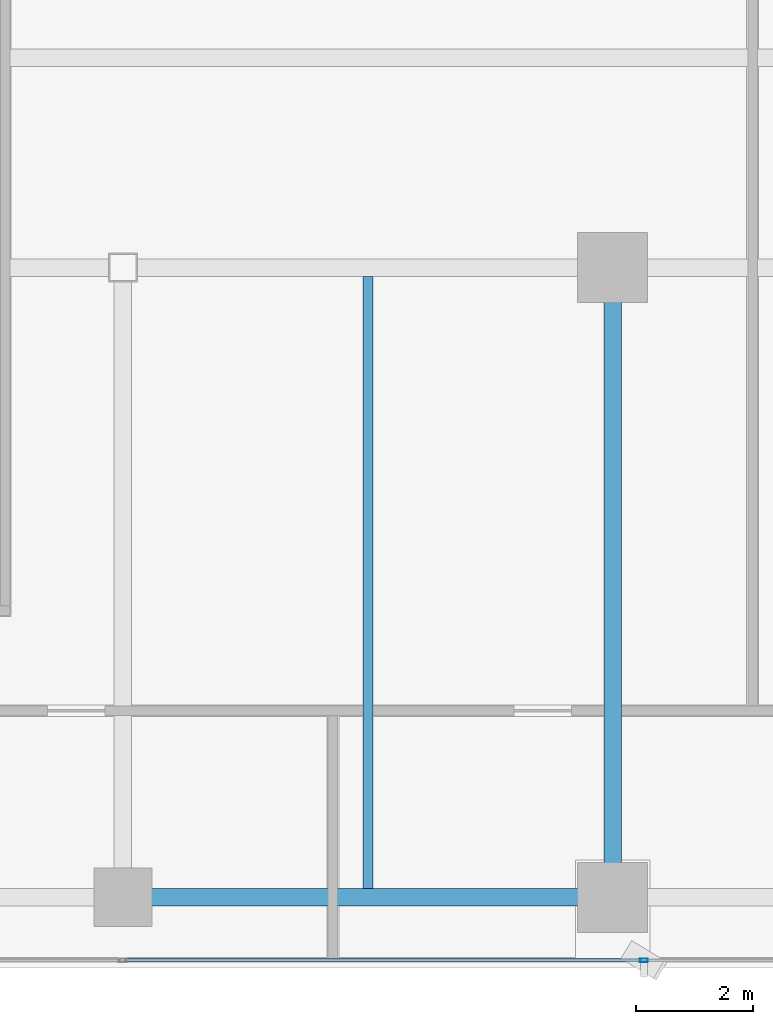
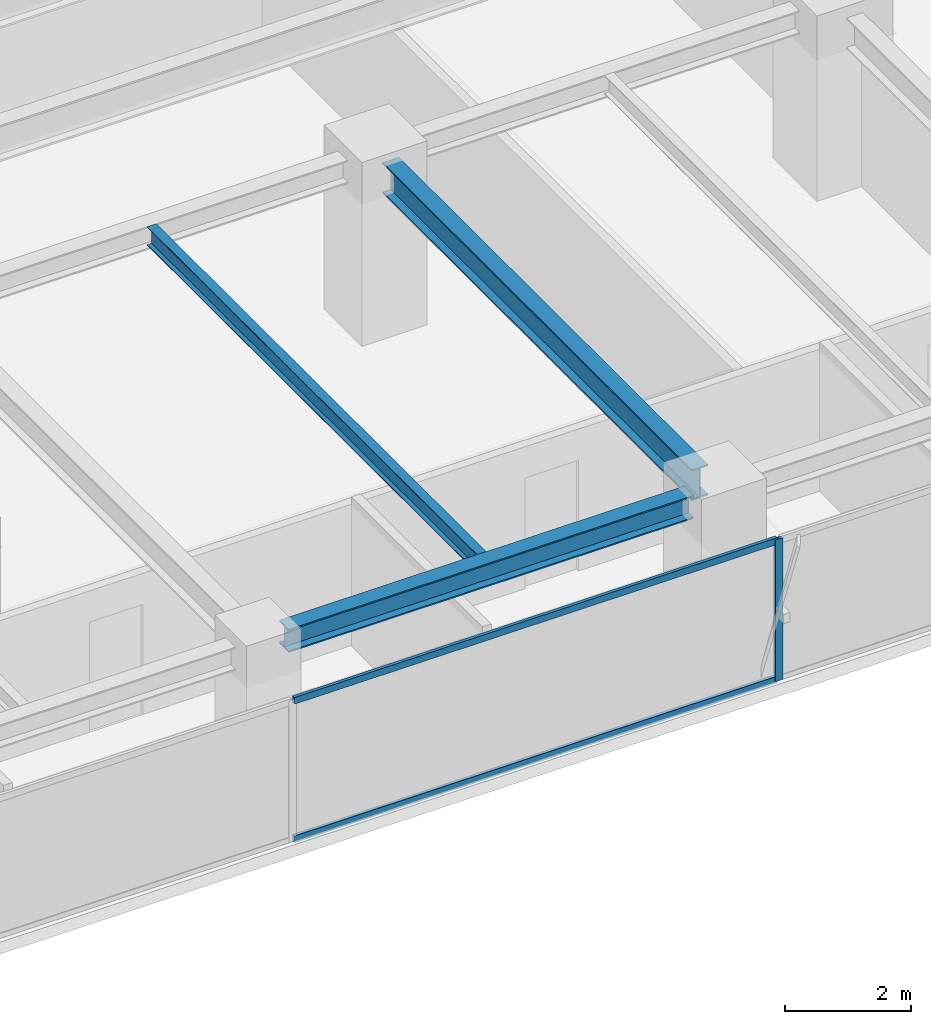
# One storey, part 7 of 27: 3 beams, 3 members, 1 element without a shape of its own.
"""IFC4 building model written with IfcOpenShell, lengths in metres."""

from ifc_helpers import new_model, si_unit, direction, frame, origin, origin_2d, place, context, subcontext, project, spatial, hollow_rectangle, i_section, extrude, source, transform, mapped, material, layer, layer_set, material_profile, profile_set, type_object, element, aggregate, save


model = new_model("IFC4")

# Units and contexts
model_context = context("Model", 3, precision=1e-05, world=origin(), true_north=direction((0.0, 1.0)))
body_context = subcontext(model_context, "Body", "Model", "MODEL_VIEW")
ifc_project = project(units=[si_unit("LENGTHUNIT", "METRE"), si_unit("AREAUNIT", "SQUARE_METRE"), si_unit("VOLUMEUNIT", "CUBIC_METRE"), si_unit("PLANEANGLEUNIT", "RADIAN"), si_unit("MASSUNIT", "GRAM", prefix="KILO")], contexts=[model_context])

# Site, building, storey
site_placement = place(None, origin())
site = spatial("IfcSite", under=ifc_project, at=site_placement, CompositionType="ELEMENT")
building_placement = place(site_placement, origin())
building = spatial("IfcBuilding", under=site, at=building_placement, Name="Sumidabori Civic Tower", CompositionType="ELEMENT")
storey_placement = place(building_placement, frame((0.0, 0.0, 257.60009765625)))
storey = spatial("IfcBuildingStorey", under=building, at=storey_placement, Name="L67", CompositionType="ELEMENT", Elevation=257.60009765625)

# Beams
ifc_material_1 = material(Name="Steel SN490", Category="steel")
ifc_material_profile_1 = material_profile(ifc_material_1, i_section(OverallWidth=0.300048828125, OverallDepth=0.60009765625, WebThickness=0.015380859375, FlangeThickness=0.030029296875, at=origin_2d()), Name="HE 600 B")
ifc_profile_set_1 = profile_set([ifc_material_profile_1], Name="Steel SN490")
beam_type_1 = type_object("IfcBeamType", Name="BM-GIRD-600", PredefinedType="BEAM", material=ifc_profile_set_1)
shared_shape_1 = source(origin(), body_context, "Body", "SweptSolid", [
    extrude(i_section(OverallWidth=0.300048828125, OverallDepth=0.60009765625, WebThickness=0.015380859375, FlangeThickness=0.030029296875, at=origin_2d()), origin(), (0.0, 0.0, 1.0), 9.840087890625),
])
beam_1_placement = place(storey_placement, frame((8.39990234375, -10.320068359375, 3.06982421875), z_axis=(0.0, 1.0, 0.0), x_axis=(-1.0, 0.0, 0.0)))
element("IfcBeam", 1, at=beam_1_placement, inside=storey, type_object=beam_type_1, Name="Primary Girder L67 GY-14", PredefinedType="BEAM", context=body_context, shape_type="MappedRepresentation", body=[
    mapped(shared_shape_1, transform((0.0, 0.0, 0.0), x_axis=(1.0, 0.0, 0.0), y_axis=(0.0, 1.0, 0.0), z_axis=(0.0, 0.0, 1.0), scale=1.0)),
])
ifc_material_profile_2 = material_profile(ifc_material_1, i_section(OverallWidth=0.300048828125, OverallDepth=0.449951171875, WebThickness=0.013916015625, FlangeThickness=0.02587890625, at=origin_2d()), Name="HE 450 B")
ifc_profile_set_2 = profile_set([ifc_material_profile_2], Name="Steel SN490")
beam_type_2 = type_object("IfcBeamType", Name="BM-GIRD-450", PredefinedType="BEAM", material=ifc_profile_set_2)
shared_shape_2 = source(origin(), body_context, "Body", "SweptSolid", [
    extrude(i_section(OverallWidth=0.300048828125, OverallDepth=0.449951171875, WebThickness=0.013916015625, FlangeThickness=0.02587890625, at=origin_2d()), origin(), (0.0, 0.0, 1.0), 7.43994140625),
])
beam_2_placement = place(storey_placement, frame((0.47998046875, -10.800048828125, 3.14501953125), z_axis=(1.0, 0.0, 0.0), x_axis=(0.0, 1.0, 0.0)))
element("IfcBeam", 2, at=beam_2_placement, inside=storey, type_object=beam_type_2, Name="Primary Girder L67 GX-03", PredefinedType="BEAM", context=body_context, shape_type="MappedRepresentation", body=[
    mapped(shared_shape_2, transform((0.0, 0.0, 0.0), x_axis=(1.0, 0.0, 0.0), y_axis=(0.0, 1.0, 0.0), z_axis=(0.0, 0.0, 1.0), scale=1.0)),
])
ifc_material_profile_3 = material_profile(ifc_material_1, i_section(OverallWidth=0.169921875, OverallDepth=0.360107421875, WebThickness=0.008056640625, FlangeThickness=0.0126953125, at=origin_2d()), Name="IPE 360")
ifc_profile_set_3 = profile_set([ifc_material_profile_3], Name="Steel SN490")
beam_type_3 = type_object("IfcBeamType", Name="BM-JST-360", PredefinedType="JOIST", material=ifc_profile_set_3)
shared_shape_3 = source(origin(), body_context, "Body", "SweptSolid", [
    extrude(i_section(OverallWidth=0.169921875, OverallDepth=0.360107421875, WebThickness=0.008056640625, FlangeThickness=0.0126953125, at=origin_2d()), origin(), (0.0, 0.0, 1.0), 10.5),
])
beam_3_placement = place(storey_placement, frame((4.199951171875, -10.64990234375, 3.18994140625), z_axis=(0.0, 1.0, 0.0), x_axis=(-1.0, 0.0, 0.0)))
element("IfcBeam", 3, at=beam_3_placement, inside=storey, type_object=beam_type_3, Name="Upper Lens N-S Floor Joist L67 JSTV-22", PredefinedType="JOIST", context=body_context, shape_type="MappedRepresentation", body=[
    mapped(shared_shape_3, transform((0.0, 0.0, 0.0), x_axis=(1.0, 0.0, 0.0), y_axis=(0.0, 1.0, 0.0), z_axis=(0.0, 0.0, 1.0), scale=1.0)),
])

# Curtain wall, members
ifc_material_2 = material(Name="Anodised Bronze Aluminium AW-6063-T6", Category="aluminium")
ifc_layer = layer(ifc_material_2, 0.179931640625, Name="Anodised Bronze Aluminium AW-6063-T6")
ifc_layer_set = layer_set([ifc_layer], Name="Anodised Bronze Aluminium AW-6063-T6")
curtain_wall_type = type_object("IfcCurtainWallType", Name="CW-SYS-5", PredefinedType="NOTDEFINED", material=ifc_layer_set)
curtain_wall_placement = place(storey_placement, origin())
curtain_wall = element("IfcCurtainWall", 4, at=curtain_wall_placement, inside=storey, type_object=curtain_wall_type, Name="Curtain Wall CW:L67:R01", PredefinedType="NOTDEFINED")
ifc_material_profile_4 = material_profile(ifc_material_2, hollow_rectangle(XDim=0.06005859375, YDim=0.139892578125, WallThickness=0.0048828125, at=origin_2d()), Name="ALU MULLION 140x60")
ifc_profile_set_4 = profile_set([ifc_material_profile_4], Name="Anodised Bronze Aluminium AW-6063-T6")
member_type_1 = type_object("IfcMemberType", Name="CW-MUL-140", PredefinedType="MULLION", material=ifc_profile_set_4)
shared_shape_4 = source(origin(), body_context, "Body", "SweptSolid", [
    extrude(hollow_rectangle(XDim=0.06005859375, YDim=0.139892578125, WallThickness=0.0048828125, at=origin_2d()), origin(), (0.0, 0.0, 1.0), 2.75),
])
member_1_placement = place(storey_placement, frame((8.93505859375, -11.8798828125, 0.0), z_axis=(0.0, 0.0, 1.0), x_axis=(0.0, 1.0, 0.0)))
member_1 = element("IfcMember", 5, at=member_1_placement, type_object=member_type_1, Name="CW-5 mullion 4", PredefinedType="MULLION", context=body_context, shape_type="MappedRepresentation", body=[
    mapped(shared_shape_4, transform((0.0, 0.0, 0.0), x_axis=(1.0, 0.0, 0.0), y_axis=(0.0, 1.0, 0.0), z_axis=(0.0, 0.0, 1.0), scale=1.0)),
])
ifc_material_profile_5 = material_profile(ifc_material_2, hollow_rectangle(XDim=0.06005859375, YDim=0.1298828125, WallThickness=0.0048828125, at=origin_2d()), Name="ALU TRANSOM 130x60")
ifc_profile_set_5 = profile_set([ifc_material_profile_5], Name="Anodised Bronze Aluminium AW-6063-T6")
member_type_2 = type_object("IfcMemberType", Name="CW-TRN-130", PredefinedType="USERDEFINED", material=ifc_profile_set_5)
shared_shape_5 = source(origin(), body_context, "Body", "SweptSolid", [
    extrude(hollow_rectangle(XDim=0.06005859375, YDim=0.1298828125, WallThickness=0.0048828125, at=origin_2d()), origin(), (0.0, 0.0, 1.0), 8.875),
])
member_2_placement = place(storey_placement, frame((0.030029296875, -11.8798828125, 0.02978515625), z_axis=(1.0, 0.0, 0.0), x_axis=(0.0, 1.0, 0.0)))
member_2 = element("IfcMember", 6, at=member_2_placement, type_object=member_type_2, Name="CW-5 transom 3.1", ObjectType="TRANSOM", PredefinedType="USERDEFINED", context=body_context, shape_type="MappedRepresentation", body=[
    mapped(shared_shape_5, transform((0.0, 0.0, 0.0), x_axis=(1.0, 0.0, 0.0), y_axis=(0.0, 1.0, 0.0), z_axis=(0.0, 0.0, 1.0), scale=1.0)),
])
member_3_placement = place(storey_placement, frame((0.030029296875, -11.8798828125, 2.719970703125), z_axis=(1.0, 0.0, 0.0), x_axis=(0.0, 1.0, 0.0)))
member_3 = element("IfcMember", 7, at=member_3_placement, type_object=member_type_2, Name="CW-5 transom 3.2", ObjectType="TRANSOM", PredefinedType="USERDEFINED", context=body_context, shape_type="MappedRepresentation", body=[
    mapped(shared_shape_5, transform((0.0, 0.0, 0.0), x_axis=(1.0, 0.0, 0.0), y_axis=(0.0, 1.0, 0.0), z_axis=(0.0, 0.0, 1.0), scale=1.0)),
])
aggregate(curtain_wall, [member_1, member_2, member_3])

save(model, "model.ifc")
